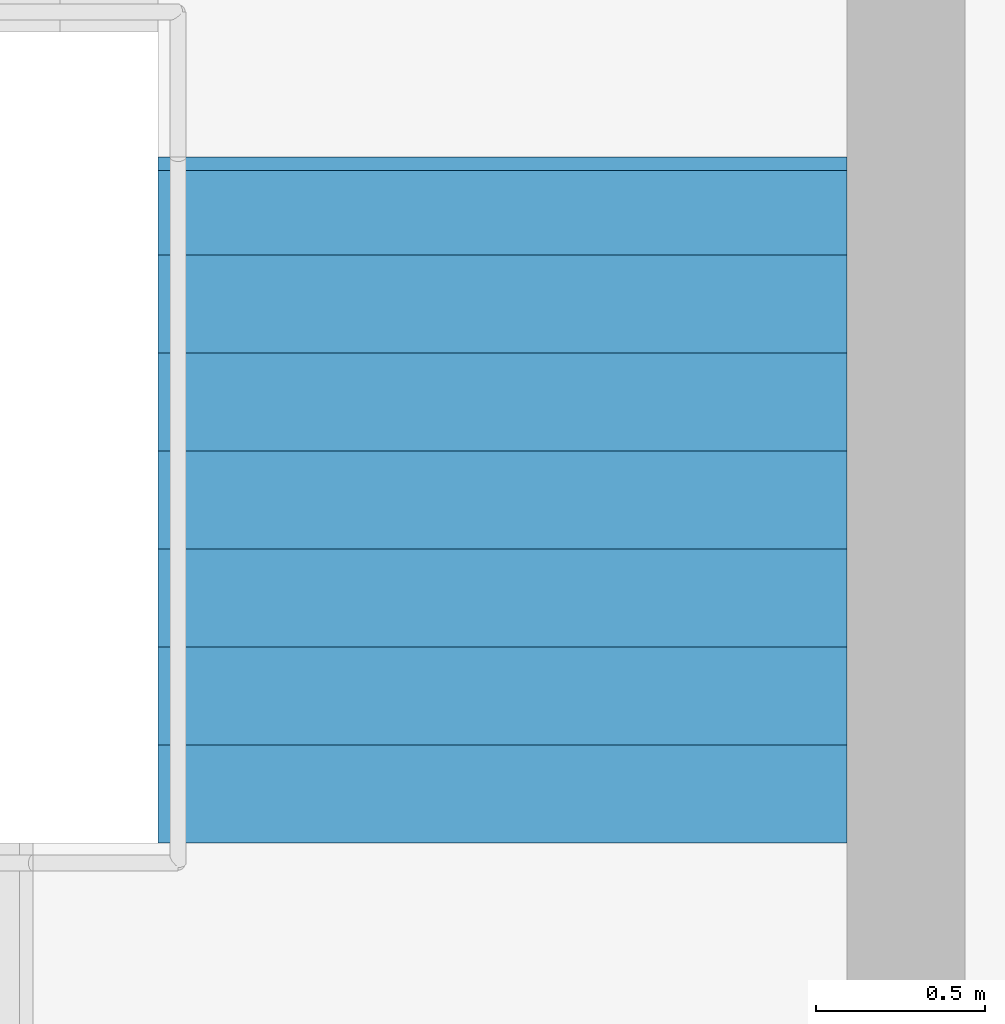
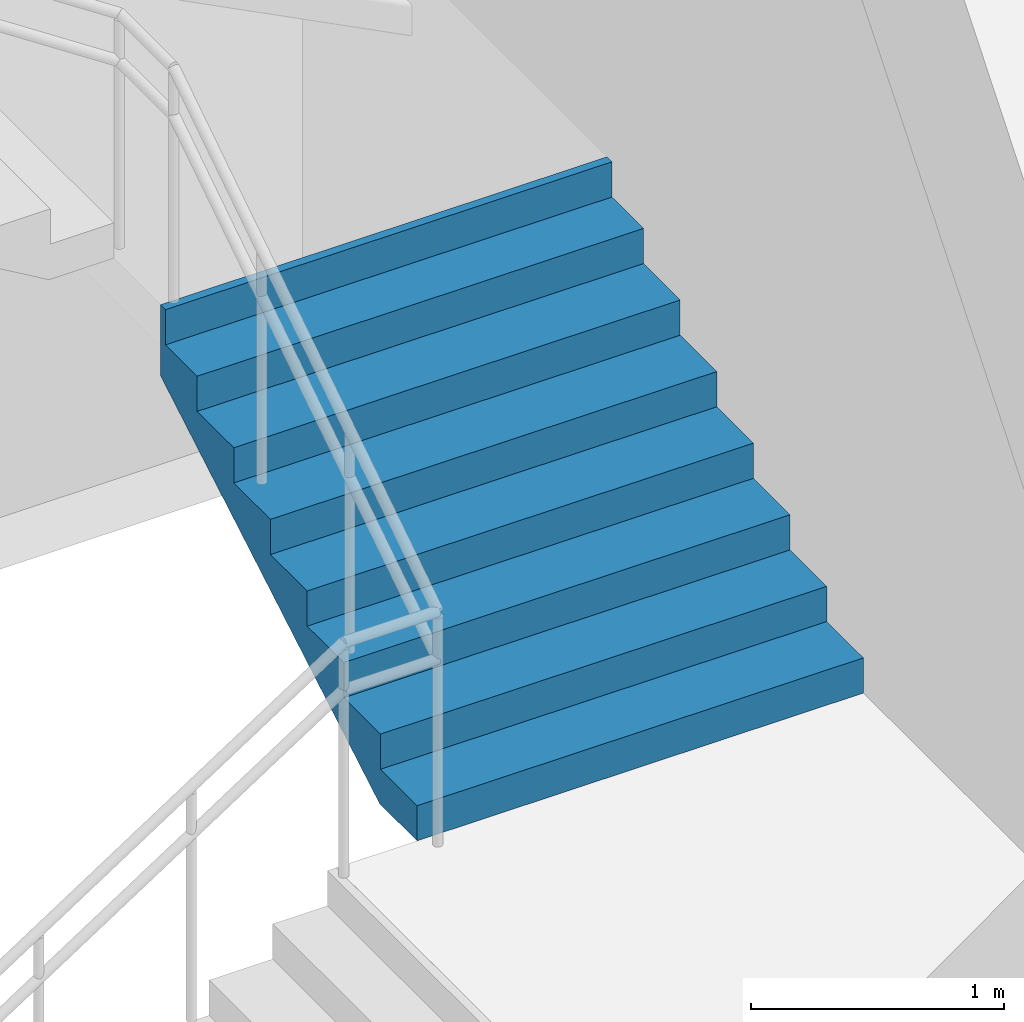
# One storey, part 57 of 67: 1 stair flight, 1 element without a shape of its own.
"""IFC4 building model written with IfcOpenShell, lengths in metres."""

from ifc_helpers import new_model, si_unit, direction, frame, origin, place, context, subcontext, project, spatial, triangles, material, type_object, element, aggregate, save


model = new_model("IFC4")

# Units and contexts
model_context = context("Model", 3, precision=1e-05, world=origin(), true_north=direction((0.0, 1.0)))
body_context = subcontext(model_context, "Body", "Model", "MODEL_VIEW")
ifc_project = project(units=[si_unit("LENGTHUNIT", "METRE"), si_unit("AREAUNIT", "SQUARE_METRE"), si_unit("VOLUMEUNIT", "CUBIC_METRE"), si_unit("PLANEANGLEUNIT", "RADIAN"), si_unit("MASSUNIT", "GRAM", prefix="KILO")], contexts=[model_context])

# Site, building, storey
site_placement = place(None, origin())
site = spatial("IfcSite", under=ifc_project, at=site_placement, CompositionType="ELEMENT")
building_placement = place(site_placement, origin())
building = spatial("IfcBuilding", under=site, at=building_placement, Name="Sillaruma Civic Art Gallery", CompositionType="ELEMENT")
storey_placement = place(building_placement, frame((0.0, 0.0, 46.919921875)))
storey = spatial("IfcBuildingStorey", under=building, at=storey_placement, Name="L09", CompositionType="ELEMENT", Elevation=46.919921875)

# Stair, stair flight
ifc_material = material(Name="Concrete H35 (35 MPa)", Category="concrete")
stair_type = type_object("IfcStairType", Name="STR-4F-30", PredefinedType="USERDEFINED", material=ifc_material)
stair_placement = place(storey_placement, origin())
stair = element("IfcStair", 1, at=stair_placement, inside=storey, type_object=stair_type, Name="Protected Exit Stair ST-03 (West Bar South) (L09)", ObjectType="THREE_RETURN_STAIR", PredefinedType="USERDEFINED")
stair_flight_type = type_object("IfcStairFlightType", Name="SFL-STR-8", PredefinedType="STRAIGHT", material=ifc_material)
stair_flight_placement = place(storey_placement, frame((68.219970703125, 33.449951171875, 1.360107421875), z_axis=(0.0, 0.0, 1.0), x_axis=(0.0, 1.0, 0.0)))
stair_flight = element("IfcStairFlight", 2, at=stair_flight_placement, type_object=stair_flight_type, Name="ST-03 flight 2", NumberOfRisers=8, NumberOfTreads=7, PredefinedType="STRAIGHT", RiserHeight=0.17, TreadLength=0.29, context=body_context, shape_type="Tessellation", body=[
    triangles([(0.0, -1.02001953125, 0.0), (0.29, -1.02001953125, 0.0), (0.296443, -1.02001953125, 0.0), (0.58, -1.02001953125, 0.166223), (0.87, -1.02001953125, 0.336223), (1.16, -1.02001953125, 0.506223), (1.45, -1.02001953125, 0.676223), (1.74, -1.02001953125, 0.846223), (1.990029, -1.02001953125, 0.992792), (2.030029, -1.02001953125, 1.01624), (2.030029, -1.02001953125, 1.36), (1.990029, -1.02001953125, 1.36), (1.990029, -1.02001953125, 1.19), (1.74, -1.02001953125, 1.19), (1.74, -1.02001953125, 1.02), (1.45, -1.02001953125, 1.02), (1.45, -1.02001953125, 0.85), (1.16, -1.02001953125, 0.85), (1.16, -1.02001953125, 0.68), (0.87, -1.02001953125, 0.68), (0.87, -1.02001953125, 0.51), (0.58, -1.02001953125, 0.51), (0.58, -1.02001953125, 0.34), (0.296443, -1.02001953125, 0.34), (0.29, -1.02001953125, 0.34), (0.29, -1.02001953125, 0.17), (0.0, -1.02001953125, 0.17), (0.0, -0.05, 0.0), (0.29, -0.05, 0.0), (0.296443, -0.05, 0.0), (0.58, -0.05, 0.166223), (0.87, -0.05, 0.336223), (1.16, -0.05, 0.506223), (1.45, -0.05, 0.676223), (1.74, -0.05, 0.846223), (1.990029, -0.05, 0.992792), (2.030029, -0.05, 1.01624), (2.030029, -0.05, 1.36), (1.990029, -0.05, 1.36), (1.990029, -0.05, 1.19), (1.74, -0.05, 1.19), (1.74, -0.05, 1.02), (1.45, -0.05, 1.02), (1.45, -0.05, 0.85), (1.16, -0.05, 0.85), (1.16, -0.05, 0.68), (0.87, -0.05, 0.68), (0.87, -0.05, 0.51), (0.58, -0.05, 0.51), (0.58, -0.05, 0.34), (0.296443, -0.05, 0.34), (0.29, -0.05, 0.34), (0.29, -0.05, 0.17), (0.0, -0.05, 0.17), (0.0, -0.0375, 0.0), (0.29, -0.0375, 0.0), (0.296443, -0.0375, 0.0), (0.58, -0.0375, 0.166223), (0.87, -0.0375, 0.336223), (1.16, -0.0375, 0.506223), (1.45, -0.0375, 0.676223), (1.74, -0.0375, 0.846223), (1.990029, -0.0375, 0.992792), (2.030029, -0.0375, 1.01624), (2.030029, -0.0375, 1.36), (1.990029, -0.0375, 1.36), (1.990029, -0.0375, 1.19), (1.74, -0.0375, 1.19), (1.74, -0.0375, 1.02), (1.45, -0.0375, 1.02), (1.45, -0.0375, 0.85), (1.16, -0.0375, 0.85), (1.16, -0.0375, 0.68), (0.87, -0.0375, 0.68), (0.87, -0.0375, 0.51), (0.58, -0.0375, 0.51), (0.58, -0.0375, 0.34), (0.296443, -0.0375, 0.34), (0.29, -0.0375, 0.34), (0.29, -0.0375, 0.17), (0.0, -0.0375, 0.17), (0.0, -0.025, 0.0), (0.29, -0.025, 0.0), (0.296443, -0.025, 0.0), (0.58, -0.025, 0.166223), (0.87, -0.025, 0.336223), (1.16, -0.025, 0.506223), (1.45, -0.025, 0.676223), (1.74, -0.025, 0.846223), (1.990029, -0.025, 0.992792), (2.030029, -0.025, 1.01624), (2.030029, -0.025, 1.36), (1.990029, -0.025, 1.36), (1.990029, -0.025, 1.19), (1.74, -0.025, 1.19), (1.74, -0.025, 1.02), (1.45, -0.025, 1.02), (1.45, -0.025, 0.85), (1.16, -0.025, 0.85), (1.16, -0.025, 0.68), (0.87, -0.025, 0.68), (0.87, -0.025, 0.51), (0.58, -0.025, 0.51), (0.58, -0.025, 0.34), (0.296443, -0.025, 0.34), (0.29, -0.025, 0.34), (0.29, -0.025, 0.17), (0.0, -0.025, 0.17), (0.0, -0.0125, 0.0), (0.29, -0.0125, 0.0), (0.296443, -0.0125, 0.0), (0.58, -0.0125, 0.166223), (0.87, -0.0125, 0.336223), (1.16, -0.0125, 0.506223), (1.45, -0.0125, 0.676223), (1.74, -0.0125, 0.846223), (1.990029, -0.0125, 0.992792), (2.030029, -0.0125, 1.01624), (2.030029, -0.0125, 1.36), (1.990029, -0.0125, 1.36), (1.990029, -0.0125, 1.19), (1.74, -0.0125, 1.19), (1.74, -0.0125, 1.02), (1.45, -0.0125, 1.02), (1.45, -0.0125, 0.85), (1.16, -0.0125, 0.85), (1.16, -0.0125, 0.68), (0.87, -0.0125, 0.68), (0.87, -0.0125, 0.51), (0.58, -0.0125, 0.51), (0.58, -0.0125, 0.34), (0.296443, -0.0125, 0.34), (0.29, -0.0125, 0.34), (0.29, -0.0125, 0.17), (0.0, -0.0125, 0.17), (0.0, 0.0, 0.0), (0.29, 0.0, 0.0), (0.296443, 0.0, 0.0), (0.58, 0.0, 0.166223), (0.87, 0.0, 0.336223), (1.16, 0.0, 0.506223), (1.45, 0.0, 0.676223), (1.74, 0.0, 0.846223), (1.990029, 0.0, 0.992792), (2.030029, 0.0, 1.01624), (2.030029, 0.0, 1.36), (1.990029, 0.0, 1.36), (1.990029, 0.0, 1.19), (1.74, 0.0, 1.19), (1.74, 0.0, 1.02), (1.45, 0.0, 1.02), (1.45, 0.0, 0.85), (1.16, 0.0, 0.85), (1.16, 0.0, 0.68), (0.87, 0.0, 0.68), (0.87, 0.0, 0.51), (0.58, 0.0, 0.51), (0.58, 0.0, 0.34), (0.296443, 0.0, 0.34), (0.29, 0.0, 0.34), (0.29, 0.0, 0.17), (0.0, 0.0, 0.17), (0.0, 0.0125, 0.0), (0.29, 0.0125, 0.0), (0.296443, 0.0125, 0.0), (0.58, 0.0125, 0.166223), (0.87, 0.0125, 0.336223), (1.16, 0.0125, 0.506223), (1.45, 0.0125, 0.676223), (1.74, 0.0125, 0.846223), (1.990029, 0.0125, 0.992792), (2.030029, 0.0125, 1.01624), (2.030029, 0.0125, 1.36), (1.990029, 0.0125, 1.36), (1.990029, 0.0125, 1.19), (1.74, 0.0125, 1.19), (1.74, 0.0125, 1.02), (1.45, 0.0125, 1.02), (1.45, 0.0125, 0.85), (1.16, 0.0125, 0.85), (1.16, 0.0125, 0.68), (0.87, 0.0125, 0.68), (0.87, 0.0125, 0.51), (0.58, 0.0125, 0.51), (0.58, 0.0125, 0.34), (0.296443, 0.0125, 0.34), (0.29, 0.0125, 0.34), (0.29, 0.0125, 0.17), (0.0, 0.0125, 0.17), (0.0, 0.025, 0.0), (0.29, 0.025, 0.0), (0.296443, 0.025, 0.0), (0.58, 0.025, 0.166223), (0.87, 0.025, 0.336223), (1.16, 0.025, 0.506223), (1.45, 0.025, 0.676223), (1.74, 0.025, 0.846223), (1.990029, 0.025, 0.992792), (2.030029, 0.025, 1.01624), (2.030029, 0.025, 1.36), (1.990029, 0.025, 1.36), (1.990029, 0.025, 1.19), (1.74, 0.025, 1.19), (1.74, 0.025, 1.02), (1.45, 0.025, 1.02), (1.45, 0.025, 0.85), (1.16, 0.025, 0.85), (1.16, 0.025, 0.68), (0.87, 0.025, 0.68), (0.87, 0.025, 0.51), (0.58, 0.025, 0.51), (0.58, 0.025, 0.34), (0.296443, 0.025, 0.34), (0.29, 0.025, 0.34), (0.29, 0.025, 0.17), (0.0, 0.025, 0.17), (0.0, 0.0375, 0.0), (0.29, 0.0375, 0.0), (0.296443, 0.0375, 0.0), (0.58, 0.0375, 0.166223), (0.87, 0.0375, 0.336223), (1.16, 0.0375, 0.506223), (1.45, 0.0375, 0.676223), (1.74, 0.0375, 0.846223), (1.990029, 0.0375, 0.992792), (2.030029, 0.0375, 1.01624), (2.030029, 0.0375, 1.36), (1.990029, 0.0375, 1.36), (1.990029, 0.0375, 1.19), (1.74, 0.0375, 1.19), (1.74, 0.0375, 1.02), (1.45, 0.0375, 1.02), (1.45, 0.0375, 0.85), (1.16, 0.0375, 0.85), (1.16, 0.0375, 0.68), (0.87, 0.0375, 0.68), (0.87, 0.0375, 0.51), (0.58, 0.0375, 0.51), (0.58, 0.0375, 0.34), (0.296443, 0.0375, 0.34), (0.29, 0.0375, 0.34), (0.29, 0.0375, 0.17), (0.0, 0.0375, 0.17), (0.0, 0.05, 0.0), (0.29, 0.05, 0.0), (0.296443, 0.05, 0.0), (0.58, 0.05, 0.166223), (0.87, 0.05, 0.336223), (1.16, 0.05, 0.506223), (1.45, 0.05, 0.676223), (1.74, 0.05, 0.846223), (1.990029, 0.05, 0.992792), (2.030029, 0.05, 1.01624), (2.030029, 0.05, 1.36), (1.990029, 0.05, 1.36), (1.990029, 0.05, 1.19), (1.74, 0.05, 1.19), (1.74, 0.05, 1.02), (1.45, 0.05, 1.02), (1.45, 0.05, 0.85), (1.16, 0.05, 0.85), (1.16, 0.05, 0.68), (0.87, 0.05, 0.68), (0.87, 0.05, 0.51), (0.58, 0.05, 0.51), (0.58, 0.05, 0.34), (0.296443, 0.05, 0.34), (0.29, 0.05, 0.34), (0.29, 0.05, 0.17), (0.0, 0.05, 0.17), (0.0, 1.02001953125, 0.0), (0.29, 1.02001953125, 0.0), (0.296443, 1.02001953125, 0.0), (0.58, 1.02001953125, 0.166223), (0.87, 1.02001953125, 0.336223), (1.16, 1.02001953125, 0.506223), (1.45, 1.02001953125, 0.676223), (1.74, 1.02001953125, 0.846223), (1.990029, 1.02001953125, 0.992792), (2.030029, 1.02001953125, 1.01624), (2.030029, 1.02001953125, 1.36), (1.990029, 1.02001953125, 1.36), (1.990029, 1.02001953125, 1.19), (1.74, 1.02001953125, 1.19), (1.74, 1.02001953125, 1.02), (1.45, 1.02001953125, 1.02), (1.45, 1.02001953125, 0.85), (1.16, 1.02001953125, 0.85), (1.16, 1.02001953125, 0.68), (0.87, 1.02001953125, 0.68), (0.87, 1.02001953125, 0.51), (0.58, 1.02001953125, 0.51), (0.58, 1.02001953125, 0.34), (0.296443, 1.02001953125, 0.34), (0.29, 1.02001953125, 0.34), (0.29, 1.02001953125, 0.17), (0.0, 1.02001953125, 0.17)], [[1, 2, 26], [1, 26, 27], [2, 3, 24], [2, 24, 26], [26, 24, 25], [3, 4, 23], [3, 23, 24], [4, 5, 21], [4, 21, 23], [23, 21, 22], [5, 6, 19], [5, 19, 21], [21, 19, 20], [6, 7, 17], [6, 17, 19], [19, 17, 18], [7, 8, 15], [7, 15, 17], [17, 15, 16], [8, 9, 13], [8, 13, 15], [15, 13, 14], [9, 10, 11], [9, 11, 13], [13, 11, 12], [296, 272, 271], [297, 296, 271], [294, 273, 272], [296, 294, 272], [295, 294, 296], [293, 274, 273], [294, 293, 273], [291, 275, 274], [293, 291, 274], [292, 291, 293], [289, 276, 275], [291, 289, 275], [290, 289, 291], [287, 277, 276], [289, 287, 276], [288, 287, 289], [285, 278, 277], [287, 285, 277], [286, 285, 287], [283, 279, 278], [285, 283, 278], [284, 283, 285], [281, 280, 279], [283, 281, 279], [282, 281, 283], [2, 1, 28], [2, 28, 29], [3, 2, 29], [3, 29, 30], [4, 3, 30], [4, 30, 31], [5, 4, 31], [5, 31, 32], [6, 5, 32], [6, 32, 33], [7, 6, 33], [7, 33, 34], [8, 7, 34], [8, 34, 35], [9, 8, 35], [9, 35, 36], [10, 9, 36], [10, 36, 37], [11, 10, 37], [11, 37, 38], [12, 11, 38], [12, 38, 39], [13, 12, 39], [13, 39, 40], [14, 13, 40], [14, 40, 41], [15, 14, 41], [15, 41, 42], [16, 15, 42], [16, 42, 43], [17, 16, 43], [17, 43, 44], [18, 17, 44], [18, 44, 45], [19, 18, 45], [19, 45, 46], [20, 19, 46], [20, 46, 47], [21, 20, 47], [21, 47, 48], [22, 21, 48], [22, 48, 49], [23, 22, 49], [23, 49, 50], [24, 23, 50], [24, 50, 51], [25, 24, 51], [25, 51, 52], [26, 25, 52], [26, 52, 53], [27, 26, 53], [27, 53, 54], [1, 27, 54], [1, 54, 28], [29, 28, 55], [29, 55, 56], [30, 29, 56], [30, 56, 57], [31, 30, 57], [31, 57, 58], [32, 31, 58], [32, 58, 59], [33, 32, 59], [33, 59, 60], [34, 33, 60], [34, 60, 61], [35, 34, 61], [35, 61, 62], [36, 35, 62], [36, 62, 63], [37, 36, 63], [37, 63, 64], [38, 37, 64], [38, 64, 65], [39, 38, 65], [39, 65, 66], [40, 39, 66], [40, 66, 67], [41, 40, 67], [41, 67, 68], [42, 41, 68], [42, 68, 69], [43, 42, 69], [43, 69, 70], [44, 43, 70], [44, 70, 71], [45, 44, 71], [45, 71, 72], [46, 45, 72], [46, 72, 73], [47, 46, 73], [47, 73, 74], [48, 47, 74], [48, 74, 75], [49, 48, 75], [49, 75, 76], [50, 49, 76], [50, 76, 77], [51, 50, 77], [51, 77, 78], [52, 51, 78], [52, 78, 79], [53, 52, 79], [53, 79, 80], [54, 53, 80], [54, 80, 81], [28, 54, 81], [28, 81, 55], [56, 55, 82], [56, 82, 83], [57, 56, 83], [57, 83, 84], [58, 57, 84], [58, 84, 85], [59, 58, 85], [59, 85, 86], [60, 59, 86], [60, 86, 87], [61, 60, 87], [61, 87, 88], [62, 61, 88], [62, 88, 89], [63, 62, 89], [63, 89, 90], [64, 63, 90], [64, 90, 91], [65, 64, 91], [65, 91, 92], [66, 65, 92], [66, 92, 93], [67, 66, 93], [67, 93, 94], [68, 67, 94], [68, 94, 95], [69, 68, 95], [69, 95, 96], [70, 69, 96], [70, 96, 97], [71, 70, 97], [71, 97, 98], [72, 71, 98], [72, 98, 99], [73, 72, 99], [73, 99, 100], [74, 73, 100], [74, 100, 101], [75, 74, 101], [75, 101, 102], [76, 75, 102], [76, 102, 103], [77, 76, 103], [77, 103, 104], [78, 77, 104], [78, 104, 105], [79, 78, 105], [79, 105, 106], [80, 79, 106], [80, 106, 107], [81, 80, 107], [81, 107, 108], [55, 81, 108], [55, 108, 82], [83, 82, 109], [83, 109, 110], [84, 83, 110], [84, 110, 111], [85, 84, 111], [85, 111, 112], [86, 85, 112], [86, 112, 113], [87, 86, 113], [87, 113, 114], [88, 87, 114], [88, 114, 115], [89, 88, 115], [89, 115, 116], [90, 89, 116], [90, 116, 117], [91, 90, 117], [91, 117, 118], [92, 91, 118], [92, 118, 119], [93, 92, 119], [93, 119, 120], [94, 93, 120], [94, 120, 121], [95, 94, 121], [95, 121, 122], [96, 95, 122], [96, 122, 123], [97, 96, 123], [97, 123, 124], [98, 97, 124], [98, 124, 125], [99, 98, 125], [99, 125, 126], [100, 99, 126], [100, 126, 127], [101, 100, 127], [101, 127, 128], [102, 101, 128], [102, 128, 129], [103, 102, 129], [103, 129, 130], [104, 103, 130], [104, 130, 131], [105, 104, 131], [105, 131, 132], [106, 105, 132], [106, 132, 133], [107, 106, 133], [107, 133, 134], [108, 107, 134], [108, 134, 135], [82, 108, 135], [82, 135, 109], [110, 109, 136], [110, 136, 137], [111, 110, 137], [111, 137, 138], [112, 111, 138], [112, 138, 139], [113, 112, 139], [113, 139, 140], [114, 113, 140], [114, 140, 141], [115, 114, 141], [115, 141, 142], [116, 115, 142], [116, 142, 143], [117, 116, 143], [117, 143, 144], [118, 117, 144], [118, 144, 145], [119, 118, 145], [119, 145, 146], [120, 119, 146], [120, 146, 147], [121, 120, 147], [121, 147, 148], [122, 121, 148], [122, 148, 149], [123, 122, 149], [123, 149, 150], [124, 123, 150], [124, 150, 151], [125, 124, 151], [125, 151, 152], [126, 125, 152], [126, 152, 153], [127, 126, 153], [127, 153, 154], [128, 127, 154], [128, 154, 155], [129, 128, 155], [129, 155, 156], [130, 129, 156], [130, 156, 157], [131, 130, 157], [131, 157, 158], [132, 131, 158], [132, 158, 159], [133, 132, 159], [133, 159, 160], [134, 133, 160], [134, 160, 161], [135, 134, 161], [135, 161, 162], [109, 135, 162], [109, 162, 136], [137, 136, 163], [137, 163, 164], [138, 137, 164], [138, 164, 165], [139, 138, 165], [139, 165, 166], [140, 139, 166], [140, 166, 167], [141, 140, 167], [141, 167, 168], [142, 141, 168], [142, 168, 169], [143, 142, 169], [143, 169, 170], [144, 143, 170], [144, 170, 171], [145, 144, 171], [145, 171, 172], [146, 145, 172], [146, 172, 173], [147, 146, 173], [147, 173, 174], [148, 147, 174], [148, 174, 175], [149, 148, 175], [149, 175, 176], [150, 149, 176], [150, 176, 177], [151, 150, 177], [151, 177, 178], [152, 151, 178], [152, 178, 179], [153, 152, 179], [153, 179, 180], [154, 153, 180], [154, 180, 181], [155, 154, 181], [155, 181, 182], [156, 155, 182], [156, 182, 183], [157, 156, 183], [157, 183, 184], [158, 157, 184], [158, 184, 185], [159, 158, 185], [159, 185, 186], [160, 159, 186], [160, 186, 187], [161, 160, 187], [161, 187, 188], [162, 161, 188], [162, 188, 189], [136, 162, 189], [136, 189, 163], [164, 163, 190], [164, 190, 191], [165, 164, 191], [165, 191, 192], [166, 165, 192], [166, 192, 193], [167, 166, 193], [167, 193, 194], [168, 167, 194], [168, 194, 195], [169, 168, 195], [169, 195, 196], [170, 169, 196], [170, 196, 197], [171, 170, 197], [171, 197, 198], [172, 171, 198], [172, 198, 199], [173, 172, 199], [173, 199, 200], [174, 173, 200], [174, 200, 201], [175, 174, 201], [175, 201, 202], [176, 175, 202], [176, 202, 203], [177, 176, 203], [177, 203, 204], [178, 177, 204], [178, 204, 205], [179, 178, 205], [179, 205, 206], [180, 179, 206], [180, 206, 207], [181, 180, 207], [181, 207, 208], [182, 181, 208], [182, 208, 209], [183, 182, 209], [183, 209, 210], [184, 183, 210], [184, 210, 211], [185, 184, 211], [185, 211, 212], [186, 185, 212], [186, 212, 213], [187, 186, 213], [187, 213, 214], [188, 187, 214], [188, 214, 215], [189, 188, 215], [189, 215, 216], [163, 189, 216], [163, 216, 190], [191, 190, 217], [191, 217, 218], [192, 191, 218], [192, 218, 219], [193, 192, 219], [193, 219, 220], [194, 193, 220], [194, 220, 221], [195, 194, 221], [195, 221, 222], [196, 195, 222], [196, 222, 223], [197, 196, 223], [197, 223, 224], [198, 197, 224], [198, 224, 225], [199, 198, 225], [199, 225, 226], [200, 199, 226], [200, 226, 227], [201, 200, 227], [201, 227, 228], [202, 201, 228], [202, 228, 229], [203, 202, 229], [203, 229, 230], [204, 203, 230], [204, 230, 231], [205, 204, 231], [205, 231, 232], [206, 205, 232], [206, 232, 233], [207, 206, 233], [207, 233, 234], [208, 207, 234], [208, 234, 235], [209, 208, 235], [209, 235, 236], [210, 209, 236], [210, 236, 237], [211, 210, 237], [211, 237, 238], [212, 211, 238], [212, 238, 239], [213, 212, 239], [213, 239, 240], [214, 213, 240], [214, 240, 241], [215, 214, 241], [215, 241, 242], [216, 215, 242], [216, 242, 243], [190, 216, 243], [190, 243, 217], [218, 217, 244], [218, 244, 245], [219, 218, 245], [219, 245, 246], [220, 219, 246], [220, 246, 247], [221, 220, 247], [221, 247, 248], [222, 221, 248], [222, 248, 249], [223, 222, 249], [223, 249, 250], [224, 223, 250], [224, 250, 251], [225, 224, 251], [225, 251, 252], [226, 225, 252], [226, 252, 253], [227, 226, 253], [227, 253, 254], [228, 227, 254], [228, 254, 255], [229, 228, 255], [229, 255, 256], [230, 229, 256], [230, 256, 257], [231, 230, 257], [231, 257, 258], [232, 231, 258], [232, 258, 259], [233, 232, 259], [233, 259, 260], [234, 233, 260], [234, 260, 261], [235, 234, 261], [235, 261, 262], [236, 235, 262], [236, 262, 263], [237, 236, 263], [237, 263, 264], [238, 237, 264], [238, 264, 265], [239, 238, 265], [239, 265, 266], [240, 239, 266], [240, 266, 267], [241, 240, 267], [241, 267, 268], [242, 241, 268], [242, 268, 269], [243, 242, 269], [243, 269, 270], [217, 243, 270], [217, 270, 244], [245, 244, 271], [245, 271, 272], [246, 245, 272], [246, 272, 273], [247, 246, 273], [247, 273, 274], [248, 247, 274], [248, 274, 275], [249, 248, 275], [249, 275, 276], [250, 249, 276], [250, 276, 277], [251, 250, 277], [251, 277, 278], [252, 251, 278], [252, 278, 279], [253, 252, 279], [253, 279, 280], [254, 253, 280], [254, 280, 281], [255, 254, 281], [255, 281, 282], [256, 255, 282], [256, 282, 283], [257, 256, 283], [257, 283, 284], [258, 257, 284], [258, 284, 285], [259, 258, 285], [259, 285, 286], [260, 259, 286], [260, 286, 287], [261, 260, 287], [261, 287, 288], [262, 261, 288], [262, 288, 289], [263, 262, 289], [263, 289, 290], [264, 263, 290], [264, 290, 291], [265, 264, 291], [265, 291, 292], [266, 265, 292], [266, 292, 293], [267, 266, 293], [267, 293, 294], [268, 267, 294], [268, 294, 295], [269, 268, 295], [269, 295, 296], [270, 269, 296], [270, 296, 297], [244, 270, 297], [244, 297, 271]], closed=True),
])
aggregate(stair, [stair_flight])

save(model, "model.ifc")
